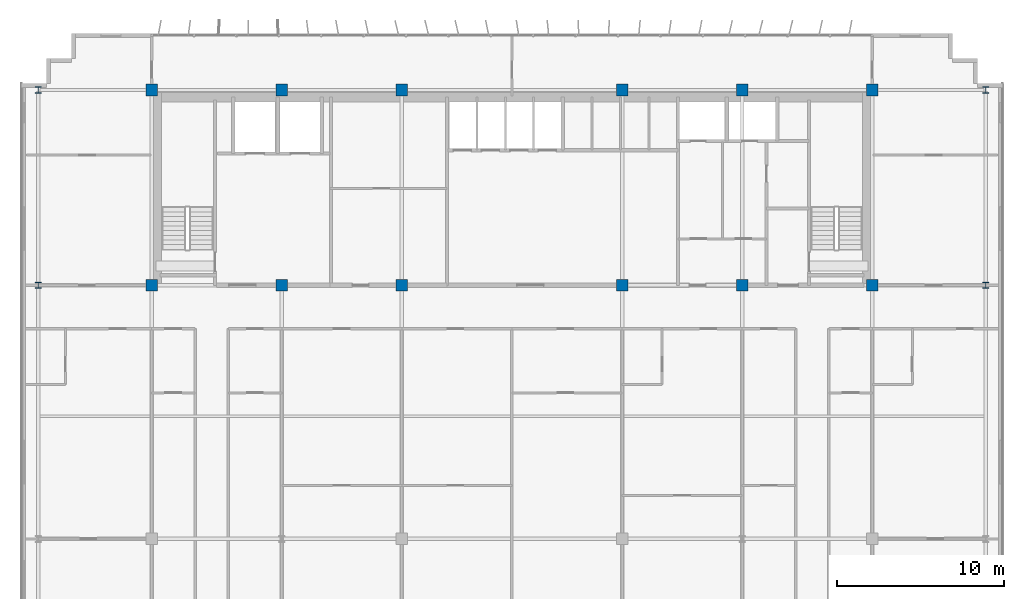
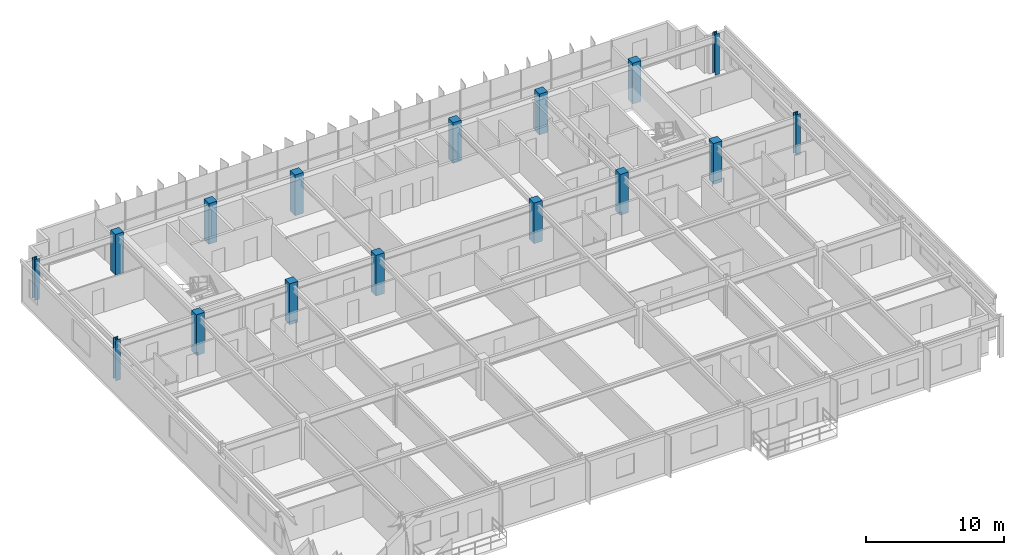
# One storey, part 2 of 20: 16 columns.
"""IFC4 building model written with IfcOpenShell, lengths in metres."""

from ifc_helpers import new_model, si_unit, direction, frame, origin, origin_2d, place, context, subcontext, project, spatial, rectangle, i_section, extrude, source, transform, mapped, material, material_profile, profile_set, type_object, element, save


model = new_model("IFC4")

# Units and contexts
model_context = context("Model", 3, precision=1e-05, world=origin(), true_north=direction((0.0, 1.0)))
body_context = subcontext(model_context, "Body", "Model", "MODEL_VIEW")
ifc_project = project(units=[si_unit("LENGTHUNIT", "METRE"), si_unit("AREAUNIT", "SQUARE_METRE"), si_unit("VOLUMEUNIT", "CUBIC_METRE"), si_unit("PLANEANGLEUNIT", "RADIAN"), si_unit("MASSUNIT", "GRAM", prefix="KILO")], contexts=[model_context])

# Site, building, storey
site_placement = place(None, origin())
site = spatial("IfcSite", under=ifc_project, at=site_placement, CompositionType="ELEMENT")
building_placement = place(site_placement, origin())
building = spatial("IfcBuilding", under=site, at=building_placement, Name="Trelvane Seafront Commons", CompositionType="ELEMENT")
storey_placement = place(building_placement, frame((0.0, 0.0, 168.10009765625)))
storey = spatial("IfcBuildingStorey", under=building, at=storey_placement, Name="L44", CompositionType="ELEMENT", Elevation=168.10009765625)

# Columns
ifc_material_1 = material(Name="Steel SM355 (S355)", Category="steel")
ifc_material_profile_1 = material_profile(ifc_material_1, i_section(OverallWidth=0.3798828125, OverallDepth=0.3798828125, WebThickness=0.02001953125, FlangeThickness=0.030029296875, at=origin_2d()), Name="HD-380x380x20x30")
ifc_profile_set_1 = profile_set([ifc_material_profile_1], Name="Steel SM355 (S355)")
column_type_1 = type_object("IfcColumnType", Name="STR-COL-HD380", PredefinedType="COLUMN", material=ifc_profile_set_1)
shared_shape_1 = source(origin(), body_context, "Body", "SweptSolid", [
    extrude(i_section(OverallWidth=0.3798828125, OverallDepth=0.3798828125, WebThickness=0.02001953125, FlangeThickness=0.030029296875, at=origin_2d()), origin(), (0.0, 0.0, 1.0), 3.599853515625),
])
for number, where, z_axis, x_axis, name in (
    (1, (8.800048828125, 33.39990234375, 0.0), (0.0, 0.0, 1.0), (1.0, 0.0, 0.0), "L44 Column TC-CS8.8"),
    (2, (8.800048828125, 45.10009765625, 0.0), (0.0, 0.0, 1.0), (1.0, 0.0, 0.0), "L44 Column TC-CN8.8"),
    (3, (65.60009765625, 33.39990234375, 0.0), (0.0, 0.0, 1.0), (1.0, 0.0, 0.0), "L44 Column TC-CS65.6"),
    (4, (65.60009765625, 45.10009765625, 0.0), (0.0, 0.0, 1.0), (1.0, 0.0, 0.0), "L44 Column TC-CN65.6"),
):
    element("IfcColumn", number, at=place(storey_placement, frame(where, z_axis=z_axis, x_axis=x_axis)), inside=storey, type_object=column_type_1, Name=name, PredefinedType="COLUMN", context=body_context, shape_type="MappedRepresentation", body=[
        mapped(shared_shape_1, transform((0.0, 0.0, 0.0), x_axis=(1.0, 0.0, 0.0), y_axis=(0.0, 1.0, 0.0), z_axis=(0.0, 0.0, 1.0), scale=1.0)),
    ])
ifc_material_2 = material(Name="Concrete C50/60", Category="concrete")
ifc_material_profile_2 = material_profile(ifc_material_2, rectangle(XDim=0.699951171875, YDim=0.699951171875, at=origin_2d()), Name="RC-700x700")
ifc_profile_set_2 = profile_set([ifc_material_profile_2], Name="Concrete C50/60")
column_type_2 = type_object("IfcColumnType", Name="STR-COL-RC700", PredefinedType="COLUMN", material=ifc_profile_set_2)
shared_shape_2 = source(origin(), body_context, "Body", "SweptSolid", [
    extrude(rectangle(XDim=0.699951171875, YDim=0.699951171875, at=origin_2d()), origin(), (0.0, 0.0, 1.0), 3.599853515625),
])
for number, where, z_axis, x_axis, name in (
    (5, (15.60009765625, 33.39990234375, 0.0), (0.0, 0.0, 1.0), (1.0, 0.0, 0.0), "L44 Column TC-CS15.6"),
    (6, (15.60009765625, 45.10009765625, 0.0), (0.0, 0.0, 1.0), (1.0, 0.0, 0.0), "L44 Column TC-CN15.6"),
    (7, (23.39990234375, 33.39990234375, 0.0), (0.0, 0.0, 1.0), (1.0, 0.0, 0.0), "L44 Column TC-CS23.4"),
    (8, (23.39990234375, 45.10009765625, 0.0), (0.0, 0.0, 1.0), (1.0, 0.0, 0.0), "L44 Column TC-CN23.4"),
    (9, (30.60009765625, 33.39990234375, 0.0), (0.0, 0.0, 1.0), (1.0, 0.0, 0.0), "L44 Column TC-CS30.6"),
    (10, (30.60009765625, 45.10009765625, 0.0), (0.0, 0.0, 1.0), (1.0, 0.0, 0.0), "L44 Column TC-CN30.6"),
    (11, (43.800048828125, 33.39990234375, 0.0), (0.0, 0.0, 1.0), (1.0, 0.0, 0.0), "L44 Column TC-CS43.8"),
    (12, (43.800048828125, 45.10009765625, 0.0), (0.0, 0.0, 1.0), (1.0, 0.0, 0.0), "L44 Column TC-CN43.8"),
    (13, (51.0, 33.39990234375, 0.0), (0.0, 0.0, 1.0), (1.0, 0.0, 0.0), "L44 Column TC-CS51.0"),
    (14, (51.0, 45.10009765625, 0.0), (0.0, 0.0, 1.0), (1.0, 0.0, 0.0), "L44 Column TC-CN51.0"),
    (15, (58.800048828125, 33.39990234375, 0.0), (0.0, 0.0, 1.0), (1.0, 0.0, 0.0), "L44 Column TC-CS58.8"),
    (16, (58.800048828125, 45.10009765625, 0.0), (0.0, 0.0, 1.0), (1.0, 0.0, 0.0), "L44 Column TC-CN58.8"),
):
    element("IfcColumn", number, at=place(storey_placement, frame(where, z_axis=z_axis, x_axis=x_axis)), inside=storey, type_object=column_type_2, Name=name, PredefinedType="COLUMN", context=body_context, shape_type="MappedRepresentation", body=[
        mapped(shared_shape_2, transform((0.0, 0.0, 0.0), x_axis=(1.0, 0.0, 0.0), y_axis=(0.0, 1.0, 0.0), z_axis=(0.0, 0.0, 1.0), scale=1.0)),
    ])

save(model, "model.ifc")
